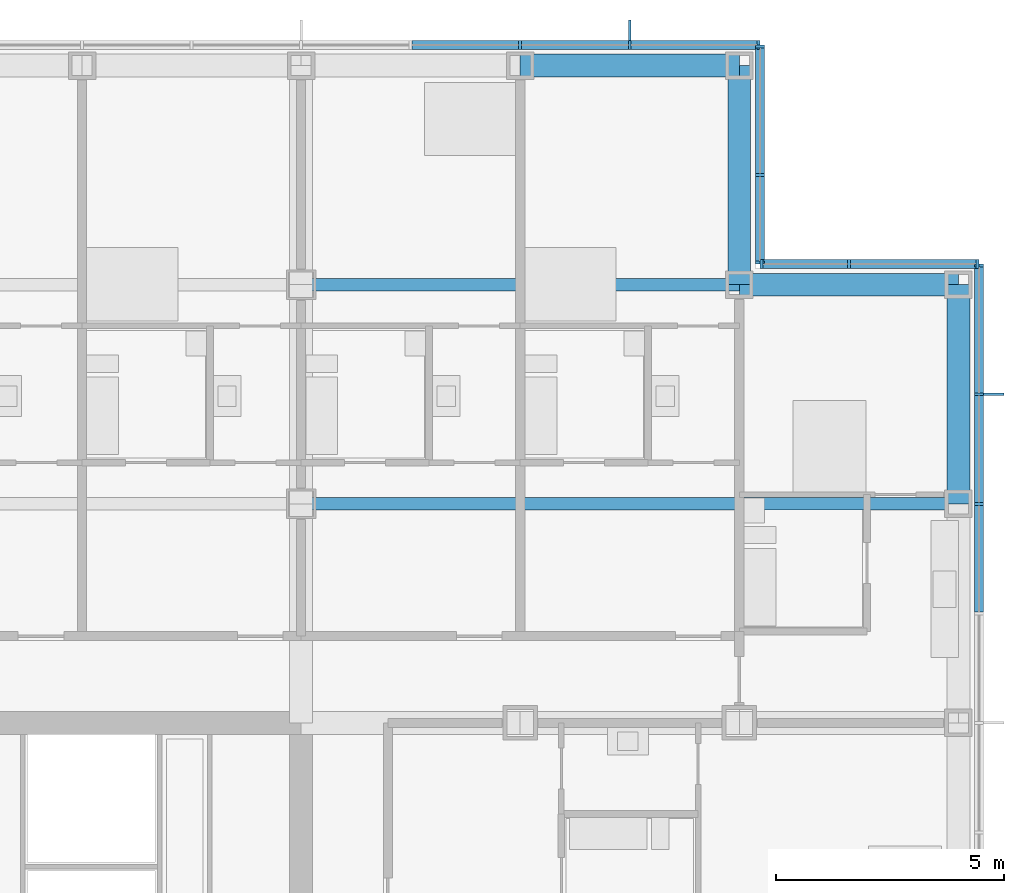
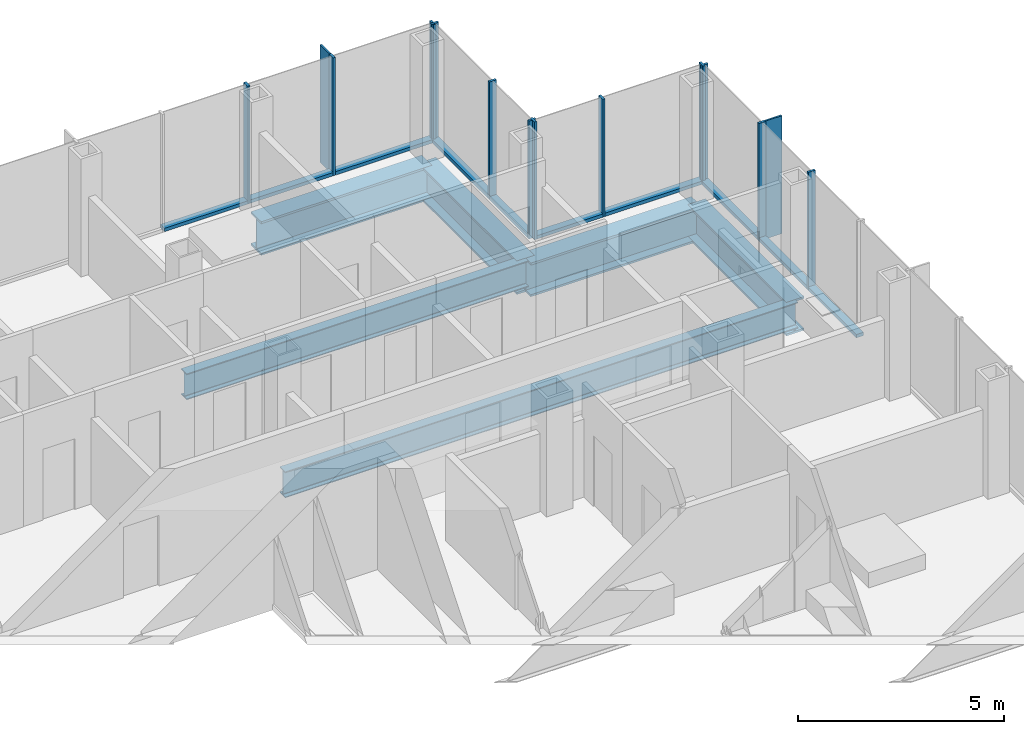
# One storey, part 11 of 22: 24 members, 6 beams, 4 elements without a shape of their own.
"""IFC4 building model written with IfcOpenShell, lengths in metres."""

from ifc_helpers import new_model, si_unit, direction, frame, origin, origin_2d, place, context, subcontext, project, spatial, rectangle, i_section, extrude, material, material_profile, profile_set, type_object, element, aggregate, save


model = new_model("IFC4")

# Units and contexts
model_context = context("Model", 3, precision=1e-05, world=origin(), true_north=direction((0.0, 1.0)))
body_context = subcontext(model_context, "Body", "Model", "MODEL_VIEW")
ifc_project = project(units=[si_unit("LENGTHUNIT", "METRE"), si_unit("AREAUNIT", "SQUARE_METRE"), si_unit("VOLUMEUNIT", "CUBIC_METRE"), si_unit("PLANEANGLEUNIT", "RADIAN"), si_unit("MASSUNIT", "GRAM", prefix="KILO")], contexts=[model_context])

# Site, building, storey
site_placement = place(None, origin())
site = spatial("IfcSite", under=ifc_project, at=site_placement, CompositionType="ELEMENT")
building_placement = place(site_placement, origin())
building = spatial("IfcBuilding", under=site, at=building_placement, Name="Kvirike Care Tower", CompositionType="ELEMENT")
storey_placement = place(building_placement, frame((0.0, 0.0, 69.0)))
storey = spatial("IfcBuildingStorey", under=building, at=storey_placement, Name="L18", CompositionType="ELEMENT", Elevation=69.0)

# Curtain wall, member
ifc_material_1 = material(Name="Anodised aluminium stick system", Category="aluminium")
curtain_wall_type = type_object("IfcCurtainWallType", Name="CW-A STICK CURTAIN WALL", PredefinedType="NOTDEFINED", material=ifc_material_1)
curtain_wall_1_placement = place(storey_placement, origin())
curtain_wall_1 = element("IfcCurtainWall", 1, at=curtain_wall_1_placement, inside=storey, type_object=curtain_wall_type, Name="Curtain wall L18 face 7", PredefinedType="NOTDEFINED")
ifc_material_2 = material(Name="Bronze anodised aluminium fin", Category="aluminium")
ifc_material_profile_1 = material_profile(ifc_material_2, rectangle(XDim=0.050048828125, YDim=0.449951171875, at=origin_2d()), Name="BRONZE FIN 450")
ifc_profile_set_1 = profile_set([ifc_material_profile_1], Name="Bronze anodised aluminium fin")
member_type_1 = type_object("IfcMemberType", Name="BRONZE FIN 450", PredefinedType="USERDEFINED", material=ifc_profile_set_1)
member_1_placement = place(storey_placement, frame((43.97509765625, 50.39990234375, 0.0), z_axis=(0.0, 0.0, 1.0), x_axis=(0.0, 1.0, 0.0)))
member_1 = element("IfcMember", 2, at=member_1_placement, type_object=member_type_1, Name="Bronze fin L18 face 7.14", ObjectType="FIN", PredefinedType="USERDEFINED", context=body_context, shape_type="SweptSolid", body=[
    extrude(rectangle(XDim=0.050048828125, YDim=0.449951171875, at=origin_2d()), origin(), (0.0, 0.0, 1.0), 3.5),
])

curtain_wall_2_placement = place(storey_placement, origin())
curtain_wall_2 = element("IfcCurtainWall", 3, at=curtain_wall_2_placement, inside=storey, type_object=curtain_wall_type, Name="Curtain wall L18 face 10", PredefinedType="NOTDEFINED")
member_2_placement = place(storey_placement, frame((36.0, 58.375, 0.0), z_axis=(0.0, 0.0, 1.0), x_axis=(-1.0, 0.0, 0.0)))
member_2 = element("IfcMember", 4, at=member_2_placement, type_object=member_type_1, Name="Bronze fin L18 face 10.2", ObjectType="FIN", PredefinedType="USERDEFINED", context=body_context, shape_type="SweptSolid", body=[
    extrude(rectangle(XDim=0.050048828125, YDim=0.449951171875, at=origin_2d()), origin(), (0.0, 0.0, 1.0), 3.5),
])

# Member
ifc_material_3 = material(Name="Bronze anodised aluminium mullion", Category="aluminium")
ifc_material_profile_2 = material_profile(ifc_material_3, rectangle(XDim=0.06494140625, YDim=0.199951171875, at=origin_2d()), Name="CW-A MULLION 65x200")
ifc_profile_set_2 = profile_set([ifc_material_profile_2], Name="Bronze anodised aluminium mullion")
member_type_2 = type_object("IfcMemberType", Name="CW-A MULLION 65x200", PredefinedType="MULLION", material=ifc_profile_set_2)
member_3_placement = place(storey_placement, frame((43.64990234375, 48.0, 0.0), z_axis=(0.0, 0.0, 1.0), x_axis=(0.0, 1.0, 0.0)))
member_3 = element("IfcMember", 5, at=member_3_placement, type_object=member_type_2, Name="CW-A mullion L18 face 7.13", PredefinedType="MULLION", context=body_context, shape_type="SweptSolid", body=[
    extrude(rectangle(XDim=0.06494140625, YDim=0.199951171875, at=origin_2d()), origin(), (0.0, 0.0, 1.0), 3.5),
])

member_4_placement = place(storey_placement, frame((43.64990234375, 50.39990234375, 0.0), z_axis=(0.0, 0.0, 1.0), x_axis=(0.0, 1.0, 0.0)))
member_4 = element("IfcMember", 6, at=member_4_placement, type_object=member_type_2, Name="CW-A mullion L18 face 7.14", PredefinedType="MULLION", context=body_context, shape_type="SweptSolid", body=[
    extrude(rectangle(XDim=0.06494140625, YDim=0.199951171875, at=origin_2d()), origin(), (0.0, 0.0, 1.0), 3.5),
])

member_5_placement = place(storey_placement, frame((43.64990234375, 53.217529296875, 0.0), z_axis=(0.0, 0.0, 1.0), x_axis=(0.0, 1.0, 0.0)))
member_5 = element("IfcMember", 7, at=member_5_placement, type_object=member_type_2, Name="CW-A mullion L18 face 7.15", PredefinedType="MULLION", context=body_context, shape_type="SweptSolid", body=[
    extrude(rectangle(XDim=0.06494140625, YDim=0.199951171875, at=origin_2d()), origin(), (0.0, 0.0, 1.0), 3.5),
])

# Curtain wall, members
curtain_wall_3_placement = place(storey_placement, origin())
curtain_wall_3 = element("IfcCurtainWall", 8, at=curtain_wall_3_placement, inside=storey, type_object=curtain_wall_type, Name="Curtain wall L18 face 8", PredefinedType="NOTDEFINED")
member_6_placement = place(storey_placement, frame((43.617431640625, 53.25, 0.0), z_axis=(0.0, 0.0, 1.0), x_axis=(-1.0, 0.0, 0.0)))
member_6 = element("IfcMember", 9, at=member_6_placement, type_object=member_type_2, Name="CW-A mullion L18 face 8.1", PredefinedType="MULLION", context=body_context, shape_type="SweptSolid", body=[
    extrude(rectangle(XDim=0.06494140625, YDim=0.199951171875, at=origin_2d()), origin(), (0.0, 0.0, 1.0), 3.5),
])
member_7_placement = place(storey_placement, frame((40.800048828125, 53.25, 0.0), z_axis=(0.0, 0.0, 1.0), x_axis=(-1.0, 0.0, 0.0)))
member_7 = element("IfcMember", 10, at=member_7_placement, type_object=member_type_2, Name="CW-A mullion L18 face 8.2", PredefinedType="MULLION", context=body_context, shape_type="SweptSolid", body=[
    extrude(rectangle(XDim=0.06494140625, YDim=0.199951171875, at=origin_2d()), origin(), (0.0, 0.0, 1.0), 3.5),
])
member_8_placement = place(storey_placement, frame((38.882568359375, 53.25, 0.0), z_axis=(0.0, 0.0, 1.0), x_axis=(-1.0, 0.0, 0.0)))
member_8 = element("IfcMember", 11, at=member_8_placement, type_object=member_type_2, Name="CW-A mullion L18 face 8.3", PredefinedType="MULLION", context=body_context, shape_type="SweptSolid", body=[
    extrude(rectangle(XDim=0.06494140625, YDim=0.199951171875, at=origin_2d()), origin(), (0.0, 0.0, 1.0), 3.5),
])

curtain_wall_4_placement = place(storey_placement, origin())
curtain_wall_4 = element("IfcCurtainWall", 12, at=curtain_wall_4_placement, inside=storey, type_object=curtain_wall_type, Name="Curtain wall L18 face 9", PredefinedType="NOTDEFINED")
member_9_placement = place(storey_placement, frame((38.85009765625, 53.282470703125, 0.0), z_axis=(0.0, 0.0, 1.0), x_axis=(0.0, 1.0, 0.0)))
member_9 = element("IfcMember", 13, at=member_9_placement, type_object=member_type_2, Name="CW-A mullion L18 face 9.1", PredefinedType="MULLION", context=body_context, shape_type="SweptSolid", body=[
    extrude(rectangle(XDim=0.06494140625, YDim=0.199951171875, at=origin_2d()), origin(), (0.0, 0.0, 1.0), 3.5),
])
member_10_placement = place(storey_placement, frame((38.85009765625, 55.199951171875, 0.0), z_axis=(0.0, 0.0, 1.0), x_axis=(0.0, 1.0, 0.0)))
member_10 = element("IfcMember", 14, at=member_10_placement, type_object=member_type_2, Name="CW-A mullion L18 face 9.2", PredefinedType="MULLION", context=body_context, shape_type="SweptSolid", body=[
    extrude(rectangle(XDim=0.06494140625, YDim=0.199951171875, at=origin_2d()), origin(), (0.0, 0.0, 1.0), 3.5),
])
member_11_placement = place(storey_placement, frame((38.85009765625, 58.017578125, 0.0), z_axis=(0.0, 0.0, 1.0), x_axis=(0.0, 1.0, 0.0)))
member_11 = element("IfcMember", 15, at=member_11_placement, type_object=member_type_2, Name="CW-A mullion L18 face 9.3", PredefinedType="MULLION", context=body_context, shape_type="SweptSolid", body=[
    extrude(rectangle(XDim=0.06494140625, YDim=0.199951171875, at=origin_2d()), origin(), (0.0, 0.0, 1.0), 3.5),
])

# Member
member_12_placement = place(storey_placement, frame((38.8173828125, 58.050048828125, 0.0), z_axis=(0.0, 0.0, 1.0), x_axis=(-1.0, 0.0, 0.0)))
member_12 = element("IfcMember", 16, at=member_12_placement, type_object=member_type_2, Name="CW-A mullion L18 face 10.1", PredefinedType="MULLION", context=body_context, shape_type="SweptSolid", body=[
    extrude(rectangle(XDim=0.06494140625, YDim=0.199951171875, at=origin_2d()), origin(), (0.0, 0.0, 1.0), 3.5),
])

member_13_placement = place(storey_placement, frame((36.0, 58.050048828125, 0.0), z_axis=(0.0, 0.0, 1.0), x_axis=(-1.0, 0.0, 0.0)))
member_13 = element("IfcMember", 17, at=member_13_placement, type_object=member_type_2, Name="CW-A mullion L18 face 10.2", PredefinedType="MULLION", context=body_context, shape_type="SweptSolid", body=[
    extrude(rectangle(XDim=0.06494140625, YDim=0.199951171875, at=origin_2d()), origin(), (0.0, 0.0, 1.0), 3.5),
])

member_14_placement = place(storey_placement, frame((33.60009765625, 58.050048828125, 0.0), z_axis=(0.0, 0.0, 1.0), x_axis=(-1.0, 0.0, 0.0)))
member_14 = element("IfcMember", 18, at=member_14_placement, type_object=member_type_2, Name="CW-A mullion L18 face 10.3", PredefinedType="MULLION", context=body_context, shape_type="SweptSolid", body=[
    extrude(rectangle(XDim=0.06494140625, YDim=0.199951171875, at=origin_2d()), origin(), (0.0, 0.0, 1.0), 3.5),
])

ifc_material_4 = material(Name="Bronze anodised aluminium transom", Category="aluminium")
ifc_material_profile_3 = material_profile(ifc_material_4, rectangle(XDim=0.199951171875, YDim=0.10009765625, at=origin_2d()), Name="CW-A TRANSOM 200x100")
ifc_profile_set_3 = profile_set([ifc_material_profile_3], Name="Bronze anodised aluminium transom")
member_type_3 = type_object("IfcMemberType", Name="CW-A TRANSOM 200x100", PredefinedType="USERDEFINED", material=ifc_profile_set_3)
member_15_placement = place(storey_placement, frame((43.64990234375, 45.632568359375, 0.050048828125), z_axis=(0.0, 1.0, 0.0), x_axis=(-1.0, 0.0, 0.0)))
member_15 = element("IfcMember", 19, at=member_15_placement, type_object=member_type_3, Name="CW-A sill transom L18 face 7.12", ObjectType="TRANSOM", PredefinedType="USERDEFINED", context=body_context, shape_type="SweptSolid", body=[
    extrude(rectangle(XDim=0.199951171875, YDim=0.10009765625, at=origin_2d()), origin(), (0.0, 0.0, 1.0), 2.3349609375),
])

member_16_placement = place(storey_placement, frame((43.64990234375, 48.032470703125, 0.050048828125), z_axis=(0.0, 1.0, 0.0), x_axis=(-1.0, 0.0, 0.0)))
member_16 = element("IfcMember", 20, at=member_16_placement, type_object=member_type_3, Name="CW-A sill transom L18 face 7.13", ObjectType="TRANSOM", PredefinedType="USERDEFINED", context=body_context, shape_type="SweptSolid", body=[
    extrude(rectangle(XDim=0.199951171875, YDim=0.10009765625, at=origin_2d()), origin(), (0.0, 0.0, 1.0), 2.3349609375),
])

member_17_placement = place(storey_placement, frame((43.64990234375, 50.4326171875, 0.050048828125), z_axis=(0.0, 1.0, 0.0), x_axis=(-1.0, 0.0, 0.0)))
member_17 = element("IfcMember", 21, at=member_17_placement, type_object=member_type_3, Name="CW-A sill transom L18 face 7.14", ObjectType="TRANSOM", PredefinedType="USERDEFINED", context=body_context, shape_type="SweptSolid", body=[
    extrude(rectangle(XDim=0.199951171875, YDim=0.10009765625, at=origin_2d()), origin(), (0.0, 0.0, 1.0), 2.75244140625),
])

aggregate(curtain_wall_1, [member_3, member_4, member_1, member_5, member_15, member_16, member_17])

member_18_placement = place(storey_placement, frame((43.5849609375, 53.25, 0.050048828125), z_axis=(-1.0, 0.0, 0.0), x_axis=(0.0, -1.0, 0.0)))
member_18 = element("IfcMember", 22, at=member_18_placement, type_object=member_type_3, Name="CW-A sill transom L18 face 8.1", ObjectType="TRANSOM", PredefinedType="USERDEFINED", context=body_context, shape_type="SweptSolid", body=[
    extrude(rectangle(XDim=0.199951171875, YDim=0.10009765625, at=origin_2d()), origin(), (0.0, 0.0, 1.0), 2.75244140625),
])

member_19_placement = place(storey_placement, frame((40.767578125, 53.25, 0.050048828125), z_axis=(-1.0, 0.0, 0.0), x_axis=(0.0, -1.0, 0.0)))
member_19 = element("IfcMember", 23, at=member_19_placement, type_object=member_type_3, Name="CW-A sill transom L18 face 8.2", ObjectType="TRANSOM", PredefinedType="USERDEFINED", context=body_context, shape_type="SweptSolid", body=[
    extrude(rectangle(XDim=0.199951171875, YDim=0.10009765625, at=origin_2d()), origin(), (0.0, 0.0, 1.0), 1.8525390625),
])

aggregate(curtain_wall_3, [member_6, member_7, member_8, member_18, member_19])

member_20_placement = place(storey_placement, frame((38.85009765625, 53.31494140625, 0.050048828125), z_axis=(0.0, 1.0, 0.0), x_axis=(-1.0, 0.0, 0.0)))
member_20 = element("IfcMember", 24, at=member_20_placement, type_object=member_type_3, Name="CW-A sill transom L18 face 9.1", ObjectType="TRANSOM", PredefinedType="USERDEFINED", context=body_context, shape_type="SweptSolid", body=[
    extrude(rectangle(XDim=0.199951171875, YDim=0.10009765625, at=origin_2d()), origin(), (0.0, 0.0, 1.0), 1.8525390625),
])

member_21_placement = place(storey_placement, frame((38.85009765625, 55.232421875, 0.050048828125), z_axis=(0.0, 1.0, 0.0), x_axis=(-1.0, 0.0, 0.0)))
member_21 = element("IfcMember", 25, at=member_21_placement, type_object=member_type_3, Name="CW-A sill transom L18 face 9.2", ObjectType="TRANSOM", PredefinedType="USERDEFINED", context=body_context, shape_type="SweptSolid", body=[
    extrude(rectangle(XDim=0.199951171875, YDim=0.10009765625, at=origin_2d()), origin(), (0.0, 0.0, 1.0), 2.752685546875),
])

aggregate(curtain_wall_4, [member_9, member_10, member_11, member_20, member_21])

member_22_placement = place(storey_placement, frame((38.784912109375, 58.050048828125, 0.050048828125), z_axis=(-1.0, 0.0, 0.0), x_axis=(0.0, -1.0, 0.0)))
member_22 = element("IfcMember", 26, at=member_22_placement, type_object=member_type_3, Name="CW-A sill transom L18 face 10.1", ObjectType="TRANSOM", PredefinedType="USERDEFINED", context=body_context, shape_type="SweptSolid", body=[
    extrude(rectangle(XDim=0.199951171875, YDim=0.10009765625, at=origin_2d()), origin(), (0.0, 0.0, 1.0), 2.75244140625),
])

member_23_placement = place(storey_placement, frame((35.967529296875, 58.050048828125, 0.050048828125), z_axis=(-1.0, 0.0, 0.0), x_axis=(0.0, -1.0, 0.0)))
member_23 = element("IfcMember", 27, at=member_23_placement, type_object=member_type_3, Name="CW-A sill transom L18 face 10.2", ObjectType="TRANSOM", PredefinedType="USERDEFINED", context=body_context, shape_type="SweptSolid", body=[
    extrude(rectangle(XDim=0.199951171875, YDim=0.10009765625, at=origin_2d()), origin(), (0.0, 0.0, 1.0), 2.3349609375),
])

member_24_placement = place(storey_placement, frame((33.5673828125, 58.050048828125, 0.050048828125), z_axis=(-1.0, 0.0, 0.0), x_axis=(0.0, -1.0, 0.0)))
member_24 = element("IfcMember", 28, at=member_24_placement, type_object=member_type_3, Name="CW-A sill transom L18 face 10.3", ObjectType="TRANSOM", PredefinedType="USERDEFINED", context=body_context, shape_type="SweptSolid", body=[
    extrude(rectangle(XDim=0.199951171875, YDim=0.10009765625, at=origin_2d()), origin(), (0.0, 0.0, 1.0), 2.3349609375),
])

aggregate(curtain_wall_2, [member_12, member_13, member_2, member_14, member_22, member_23, member_24])

# Beams
ifc_material_5 = material(Name="Steel S355", Category="steel")
ifc_material_profile_4 = material_profile(ifc_material_5, i_section(OverallWidth=0.26806640625, OverallDepth=0.77001953125, WebThickness=0.015625, FlangeThickness=0.025390625, FilletRadius=0.01708984375, at=origin_2d()), Name="IPE 750x196")
ifc_profile_set_4 = profile_set([ifc_material_profile_4], Name="Steel S355")
beam_type_1 = type_object("IfcBeamType", Name="FLOOR BEAM IPE 750x196", PredefinedType="BEAM", material=ifc_profile_set_4)
beam_1_placement = place(storey_placement, frame((28.800048828125, 48.0, -0.554931640625), z_axis=(1.0, 0.0, 0.0), x_axis=(0.0, 1.0, 0.0)))
element("IfcBeam", 29, at=beam_1_placement, inside=storey, type_object=beam_type_1, Name="Floor Beam L9-L12 L18", PredefinedType="BEAM", context=body_context, shape_type="SweptSolid", body=[
    extrude(i_section(OverallWidth=0.26806640625, OverallDepth=0.77001953125, WebThickness=0.015625, FlangeThickness=0.025390625, FilletRadius=0.01708984375, at=origin_2d()), origin(), (0.0, 0.0, 1.0), 14.39990234375),
])
beam_2_placement = place(storey_placement, frame((28.800048828125, 52.800048828125, -0.554931640625), z_axis=(1.0, 0.0, 0.0), x_axis=(0.0, 1.0, 0.0)))
element("IfcBeam", 30, at=beam_2_placement, inside=storey, type_object=beam_type_1, Name="Floor Beam M9-M11 L18", PredefinedType="BEAM", context=body_context, shape_type="SweptSolid", body=[
    extrude(i_section(OverallWidth=0.26806640625, OverallDepth=0.77001953125, WebThickness=0.015625, FlangeThickness=0.025390625, FilletRadius=0.01708984375, at=origin_2d()), origin(), (0.0, 0.0, 1.0), 9.599853515625),
])
ifc_material_6 = material(Name="Steel S355", Category="steel")
ifc_material_profile_5 = material_profile(ifc_material_6, i_section(OverallWidth=0.5, OverallDepth=1.0, WebThickness=0.030029296875, FlangeThickness=0.06005859375, at=origin_2d()), Name="PG 1000x500x30x60")
ifc_profile_set_5 = profile_set([ifc_material_profile_5], Name="Steel S355")
beam_type_2 = type_object("IfcBeamType", Name="SPANDREL PG 1000x500x30x60", PredefinedType="SPANDREL", material=ifc_profile_set_5)
beam_3_placement = place(storey_placement, frame((38.39990234375, 52.800048828125, -0.669921875), z_axis=(1.0, 0.0, 0.0), x_axis=(0.0, 1.0, 0.0)))
element("IfcBeam", 31, at=beam_3_placement, inside=storey, type_object=beam_type_2, Name="Spandrel M11-M12 L18", PredefinedType="SPANDREL", context=body_context, shape_type="SweptSolid", body=[
    extrude(i_section(OverallWidth=0.5, OverallDepth=1.0, WebThickness=0.030029296875, FlangeThickness=0.06005859375, at=origin_2d()), origin(), (0.0, 0.0, 1.0), 4.800048828125),
])
beam_4_placement = place(storey_placement, frame((33.60009765625, 57.60009765625, -0.669921875), z_axis=(1.0, 0.0, 0.0), x_axis=(0.0, 1.0, 0.0)))
element("IfcBeam", 32, at=beam_4_placement, inside=storey, type_object=beam_type_2, Name="Spandrel N10-N11 L18", PredefinedType="SPANDREL", context=body_context, shape_type="SweptSolid", body=[
    extrude(i_section(OverallWidth=0.5, OverallDepth=1.0, WebThickness=0.030029296875, FlangeThickness=0.06005859375, at=origin_2d()), origin(), (0.0, 0.0, 1.0), 4.7998046875),
])
for number, where, z_axis, x_axis, name in (
    (33, (38.39990234375, 52.800048828125, -0.669921875), (0.0, 1.0, 0.0), (-1.0, 0.0, 0.0), "Spandrel M11-N11 L18"),
    (34, (43.199951171875, 48.0, -0.669921875), (0.0, 1.0, 0.0), (-1.0, 0.0, 0.0), "Spandrel L12-M12 L18"),
):
    element("IfcBeam", number, at=place(storey_placement, frame(where, z_axis=z_axis, x_axis=x_axis)), inside=storey, type_object=beam_type_2, Name=name, PredefinedType="SPANDREL", context=body_context, shape_type="SweptSolid", body=[
        extrude(i_section(OverallWidth=0.5, OverallDepth=1.0, WebThickness=0.030029296875, FlangeThickness=0.06005859375, at=origin_2d()), origin(), (0.0, 0.0, 1.0), 4.800048828125),
    ])

save(model, "model.ifc")
